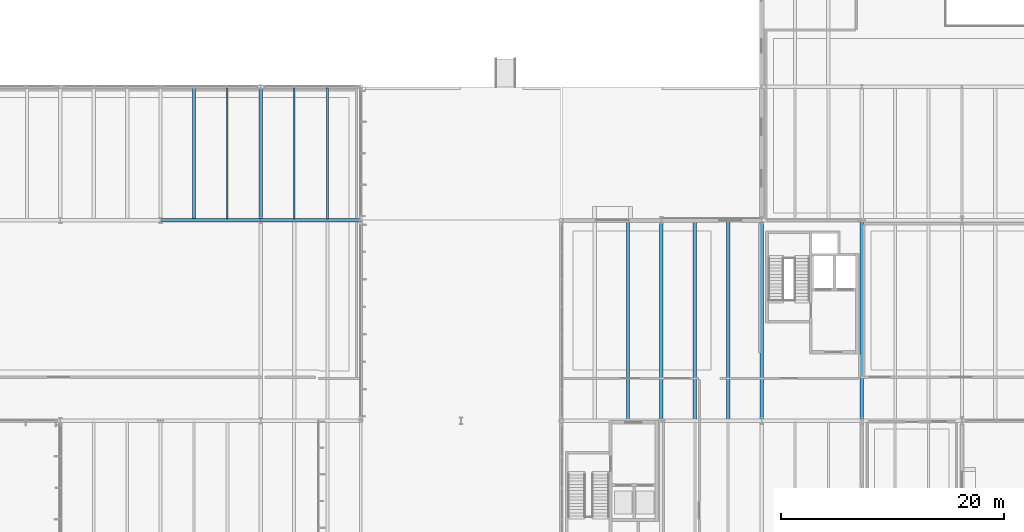
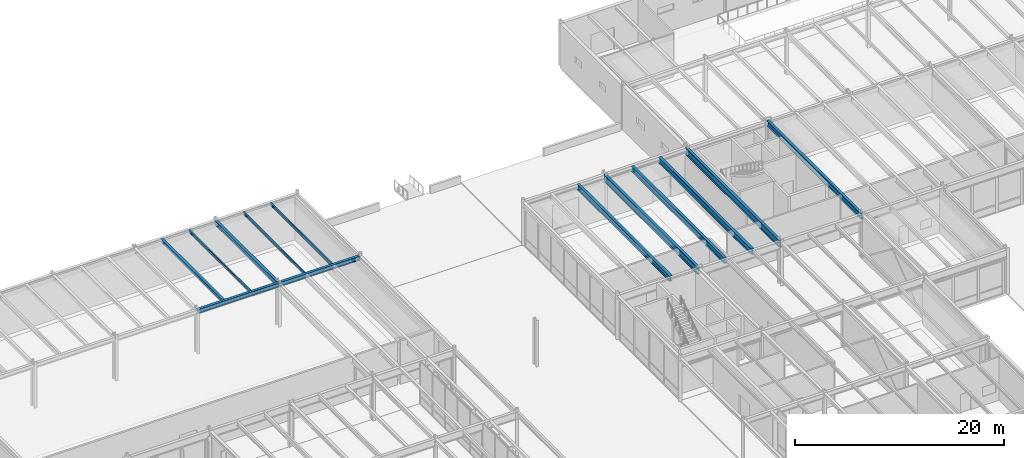
# One storey, part 85 of 143: 13 beams.
"""IFC4 building model written with IfcOpenShell, lengths in metres."""

from ifc_helpers import new_model, si_unit, direction, frame, origin, origin_2d, place, context, subcontext, project, spatial, i_section, extrude, material, material_profile, profile_set, type_object, element, save


model = new_model("IFC4")

# Units and contexts
model_context = context("Model", 3, precision=1e-05, world=origin(), true_north=direction((0.0, 1.0)))
body_context = subcontext(model_context, "Body", "Model", "MODEL_VIEW")
ifc_project = project(units=[si_unit("LENGTHUNIT", "METRE"), si_unit("AREAUNIT", "SQUARE_METRE"), si_unit("VOLUMEUNIT", "CUBIC_METRE"), si_unit("PLANEANGLEUNIT", "RADIAN"), si_unit("MASSUNIT", "GRAM", prefix="KILO")], contexts=[model_context])

# Site, building, storey
site_placement = place(None, origin())
site = spatial("IfcSite", under=ifc_project, at=site_placement, CompositionType="ELEMENT")
building_placement = place(site_placement, origin())
building = spatial("IfcBuilding", under=site, at=building_placement, Name="Montelvaro Courts of Justice", CompositionType="ELEMENT")
storey_placement = place(building_placement, origin())
storey = spatial("IfcBuildingStorey", under=building, at=storey_placement, Name="L00", CompositionType="ELEMENT", Elevation=0.0)

# Beams
ifc_material = material(Name="Steel S355", Category="steel")
ifc_material_profile_1 = material_profile(ifc_material, i_section(OverallWidth=0.300048828125, OverallDepth=0.31005859375, WebThickness=0.009033203125, FlangeThickness=0.015380859375, at=origin_2d()), Name="HEA 320")
ifc_profile_set_1 = profile_set([ifc_material_profile_1], Name="Steel S355")
beam_type_1 = type_object("IfcBeamType", Name="Beam_HEA320", PredefinedType="BEAM", material=ifc_profile_set_1)
beam_1_placement = place(storey_placement, frame((66.0, 96.110107421875, 4.925048828125), z_axis=(0.0, 1.0, 0.0), x_axis=(-1.0, 0.0, 0.0)))
element("IfcBeam", 1, at=beam_1_placement, inside=storey, type_object=beam_type_1, Name="Beam B-15 L00", PredefinedType="BEAM", context=body_context, shape_type="SweptSolid", body=[
    extrude(i_section(OverallWidth=0.300048828125, OverallDepth=0.31005859375, WebThickness=0.009033203125, FlangeThickness=0.015380859375, at=origin_2d()), origin(), (0.0, 0.0, 1.0), 11.77978515625),
])
ifc_material_profile_2 = material_profile(ifc_material, i_section(OverallWidth=0.300048828125, OverallDepth=0.489990234375, WebThickness=0.011962890625, FlangeThickness=0.02294921875, at=origin_2d()), Name="HEA 500")
ifc_profile_set_2 = profile_set([ifc_material_profile_2], Name="Steel S355")
beam_type_2 = type_object("IfcBeamType", Name="Beam_HEA500", PredefinedType="USERDEFINED", material=ifc_profile_set_2)
for number, where, z_axis, x_axis, name in (
    (2, (63.0, 96.0, 4.8349609375), (1.0, 0.0, 0.0), (0.0, 1.0, 0.0), "Beam B-19 L00"),
    (3, (72.0, 96.0, 4.8349609375), (1.0, 0.0, 0.0), (0.0, 1.0, 0.0), "Beam B-19 L00"),
):
    element("IfcBeam", number, at=place(storey_placement, frame(where, z_axis=z_axis, x_axis=x_axis)), inside=storey, type_object=beam_type_2, Name=name, ObjectType="GIRDER", PredefinedType="USERDEFINED", context=body_context, shape_type="SweptSolid", body=[
        extrude(i_section(OverallWidth=0.300048828125, OverallDepth=0.489990234375, WebThickness=0.011962890625, FlangeThickness=0.02294921875, at=origin_2d()), origin(), (0.0, 0.0, 1.0), 9.0),
    ])
beam_2_placement = place(storey_placement, frame((72.0, 96.0, 4.8349609375), z_axis=(0.0, 1.0, 0.0), x_axis=(-1.0, 0.0, 0.0)))
element("IfcBeam", 4, at=beam_2_placement, inside=storey, type_object=beam_type_2, Name="Beam B-19 L00", ObjectType="GIRDER", PredefinedType="USERDEFINED", context=body_context, shape_type="SweptSolid", body=[
    extrude(i_section(OverallWidth=0.300048828125, OverallDepth=0.489990234375, WebThickness=0.011962890625, FlangeThickness=0.02294921875, at=origin_2d()), origin(), (0.0, 0.0, 1.0), 12.0),
])
ifc_material_profile_3 = material_profile(ifc_material, i_section(OverallWidth=0.300048828125, OverallDepth=0.639892578125, WebThickness=0.013427734375, FlangeThickness=0.02587890625, at=origin_2d()), Name="HEA 650")
ifc_profile_set_3 = profile_set([ifc_material_profile_3], Name="Steel S355")
beam_type_3 = type_object("IfcBeamType", Name="Beam_HEA650", PredefinedType="USERDEFINED", material=ifc_profile_set_3)
for number, where, z_axis, x_axis, name in (
    (5, (105.0, 78.110107421875, 4.780029296875), (0.0, 1.0, 0.0), (-1.0, 0.0, 0.0), "Beam B-22 L00"),
    (6, (111.0, 78.110107421875, 4.780029296875), (0.0, 1.0, 0.0), (-1.0, 0.0, 0.0), "Beam B-22 L00"),
):
    element("IfcBeam", number, at=place(storey_placement, frame(where, z_axis=z_axis, x_axis=x_axis)), inside=storey, type_object=beam_type_3, Name=name, ObjectType="GIRDER", PredefinedType="USERDEFINED", context=body_context, shape_type="SweptSolid", body=[
        extrude(i_section(OverallWidth=0.300048828125, OverallDepth=0.639892578125, WebThickness=0.013427734375, FlangeThickness=0.02587890625, at=origin_2d()), origin(), (0.0, 0.0, 1.0), 17.77978515625),
    ])
ifc_material_profile_4 = material_profile(ifc_material, i_section(OverallWidth=0.300048828125, OverallDepth=0.68994140625, WebThickness=0.014404296875, FlangeThickness=0.027099609375, at=origin_2d()), Name="HEA 700")
ifc_profile_set_4 = profile_set([ifc_material_profile_4], Name="Steel S355")
beam_type_4 = type_object("IfcBeamType", Name="Beam_HEA700", PredefinedType="USERDEFINED", material=ifc_profile_set_4)
beam_3_placement = place(storey_placement, frame((114.0, 78.110107421875, 4.7548828125), z_axis=(0.0, 1.0, 0.0), x_axis=(-1.0, 0.0, 0.0)))
element("IfcBeam", 7, at=beam_3_placement, inside=storey, type_object=beam_type_4, Name="Beam B-23 L00", ObjectType="GIRDER", PredefinedType="USERDEFINED", context=body_context, shape_type="SweptSolid", body=[
    extrude(i_section(OverallWidth=0.300048828125, OverallDepth=0.68994140625, WebThickness=0.014404296875, FlangeThickness=0.027099609375, at=origin_2d()), origin(), (0.0, 0.0, 1.0), 17.77978515625),
])
ifc_material_profile_5 = material_profile(ifc_material, i_section(OverallWidth=0.300048828125, OverallDepth=0.7900390625, WebThickness=0.014892578125, FlangeThickness=0.028076171875, at=origin_2d()), Name="HEA 800")
ifc_profile_set_5 = profile_set([ifc_material_profile_5], Name="Steel S355")
beam_type_5 = type_object("IfcBeamType", Name="Beam_HEA800", PredefinedType="USERDEFINED", material=ifc_profile_set_5)
beam_4_placement = place(storey_placement, frame((108.0, 78.0, 4.705078125), z_axis=(0.0, 1.0, 0.0), x_axis=(-1.0, 0.0, 0.0)))
element("IfcBeam", 8, at=beam_4_placement, inside=storey, type_object=beam_type_5, Name="Beam B-24 L00", ObjectType="GIRDER", PredefinedType="USERDEFINED", context=body_context, shape_type="SweptSolid", body=[
    extrude(i_section(OverallWidth=0.300048828125, OverallDepth=0.7900390625, WebThickness=0.014892578125, FlangeThickness=0.028076171875, at=origin_2d()), origin(), (0.0, 0.0, 1.0), 18.0),
])
ifc_material_profile_6 = material_profile(ifc_material, i_section(OverallWidth=0.300048828125, OverallDepth=0.64990234375, WebThickness=0.01611328125, FlangeThickness=0.031005859375, at=origin_2d()), Name="HEB 650")
ifc_profile_set_6 = profile_set([ifc_material_profile_6], Name="Steel S355")
beam_type_6 = type_object("IfcBeamType", Name="Beam_HEB650", PredefinedType="USERDEFINED", material=ifc_profile_set_6)
beam_5_placement = place(storey_placement, frame((126.0, 78.0, 4.77490234375), z_axis=(0.0, 1.0, 0.0), x_axis=(-1.0, 0.0, 0.0)))
element("IfcBeam", 9, at=beam_5_placement, inside=storey, type_object=beam_type_6, Name="Beam B-27 L00", ObjectType="GIRDER", PredefinedType="USERDEFINED", context=body_context, shape_type="SweptSolid", body=[
    extrude(i_section(OverallWidth=0.300048828125, OverallDepth=0.64990234375, WebThickness=0.01611328125, FlangeThickness=0.031005859375, at=origin_2d()), origin(), (0.0, 0.0, 1.0), 18.0),
])
ifc_material_profile_7 = material_profile(ifc_material, i_section(OverallWidth=0.300048828125, OverallDepth=0.800048828125, WebThickness=0.017578125, FlangeThickness=0.032958984375, at=origin_2d()), Name="HEB 800")
ifc_profile_set_7 = profile_set([ifc_material_profile_7], Name="Steel S355")
beam_type_7 = type_object("IfcBeamType", Name="Beam_HEB800", PredefinedType="USERDEFINED", material=ifc_profile_set_7)
beam_6_placement = place(storey_placement, frame((117.0, 78.0, 4.699951171875), z_axis=(0.0, 1.0, 0.0), x_axis=(-1.0, 0.0, 0.0)))
element("IfcBeam", 10, at=beam_6_placement, inside=storey, type_object=beam_type_7, Name="Beam B-29 L00", ObjectType="GIRDER", PredefinedType="USERDEFINED", context=body_context, shape_type="SweptSolid", body=[
    extrude(i_section(OverallWidth=0.300048828125, OverallDepth=0.800048828125, WebThickness=0.017578125, FlangeThickness=0.032958984375, at=origin_2d()), origin(), (0.0, 0.0, 1.0), 18.0),
])
ifc_material_profile_8 = material_profile(ifc_material, i_section(OverallWidth=0.14990234375, OverallDepth=0.300048828125, WebThickness=0.007080078125, FlangeThickness=0.0107421875, at=origin_2d()), Name="IPE 300")
ifc_profile_set_8 = profile_set([ifc_material_profile_8], Name="Steel S355")
beam_type_8 = type_object("IfcBeamType", Name="Beam_IPE300", PredefinedType="BEAM", material=ifc_profile_set_8)
for number, where, z_axis, x_axis, name in (
    (11, (69.0, 96.110107421875, 4.929931640625), (0.0, 1.0, 0.0), (-1.0, 0.0, 0.0), "Beam B-05 L00"),
    (12, (75.0, 96.110107421875, 4.929931640625), (0.0, 1.0, 0.0), (-1.0, 0.0, 0.0), "Beam B-05 L00"),
):
    element("IfcBeam", number, at=place(storey_placement, frame(where, z_axis=z_axis, x_axis=x_axis)), inside=storey, type_object=beam_type_8, Name=name, PredefinedType="BEAM", context=body_context, shape_type="SweptSolid", body=[
        extrude(i_section(OverallWidth=0.14990234375, OverallDepth=0.300048828125, WebThickness=0.007080078125, FlangeThickness=0.0107421875, at=origin_2d()), origin(), (0.0, 0.0, 1.0), 11.77978515625),
    ])
ifc_material_profile_9 = material_profile(ifc_material, i_section(OverallWidth=0.159912109375, OverallDepth=0.330078125, WebThickness=0.007568359375, FlangeThickness=0.011474609375, at=origin_2d()), Name="IPE 330")
ifc_profile_set_9 = profile_set([ifc_material_profile_9], Name="Steel S355")
beam_type_9 = type_object("IfcBeamType", Name="Beam_IPE330", PredefinedType="BEAM", material=ifc_profile_set_9)
beam_7_placement = place(storey_placement, frame((78.0, 96.110107421875, 4.9150390625), z_axis=(0.0, 1.0, 0.0), x_axis=(-1.0, 0.0, 0.0)))
element("IfcBeam", 13, at=beam_7_placement, inside=storey, type_object=beam_type_9, Name="Beam B-06 L00", PredefinedType="BEAM", context=body_context, shape_type="SweptSolid", body=[
    extrude(i_section(OverallWidth=0.159912109375, OverallDepth=0.330078125, WebThickness=0.007568359375, FlangeThickness=0.011474609375, at=origin_2d()), origin(), (0.0, 0.0, 1.0), 11.77978515625),
])

save(model, "model.ifc")
